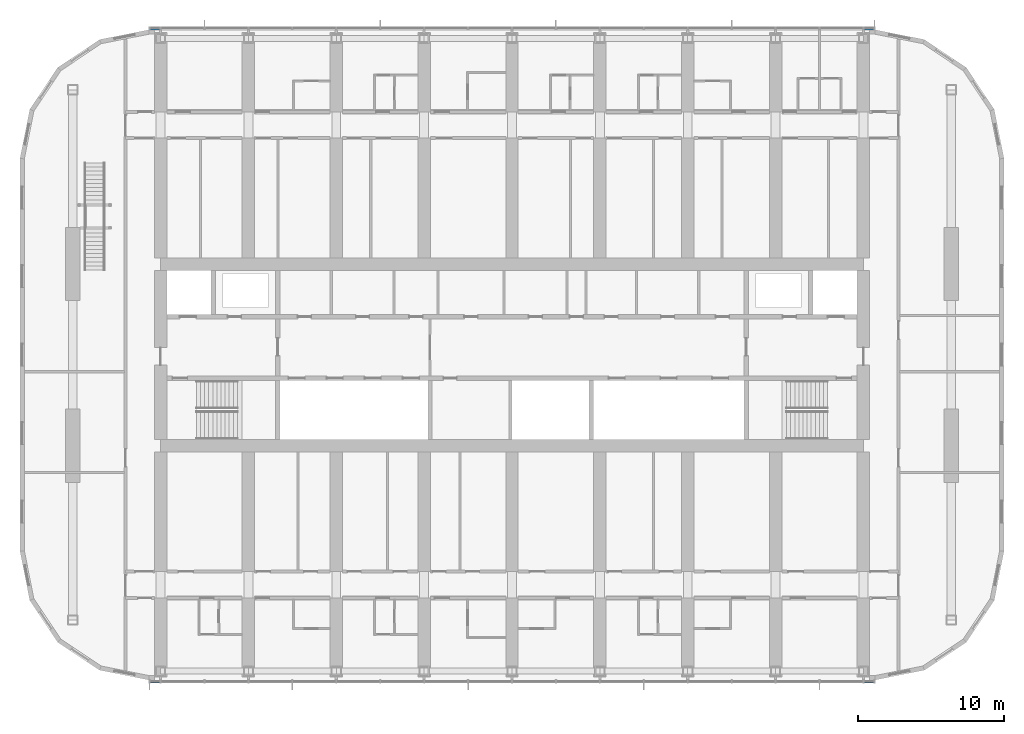
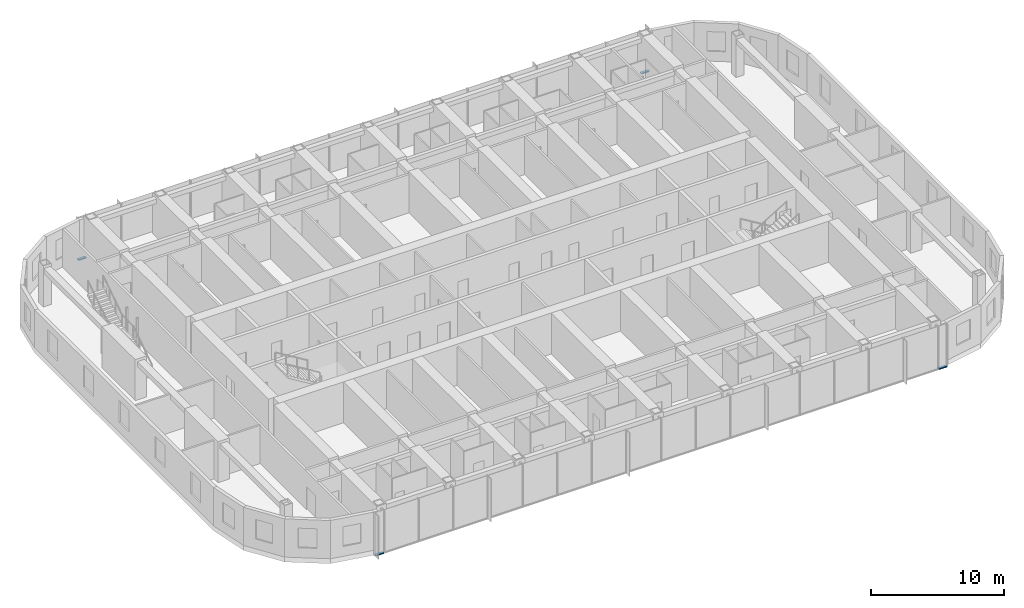
# One storey, part 10 of 29: 4 members, 2 elements without a shape of their own.
"""IFC4 building model written with IfcOpenShell, lengths in metres."""

from ifc_helpers import new_model, si_unit, direction, frame, origin, origin_2d, place, context, subcontext, project, spatial, rectangle, extrude, material, material_profile, profile_set, type_object, element, aggregate, save


model = new_model("IFC4")

# Units and contexts
model_context = context("Model", 3, precision=1e-05, world=origin(), true_north=direction((0.0, 1.0)))
body_context = subcontext(model_context, "Body", "Model", "MODEL_VIEW")
ifc_project = project(units=[si_unit("LENGTHUNIT", "METRE"), si_unit("AREAUNIT", "SQUARE_METRE"), si_unit("VOLUMEUNIT", "CUBIC_METRE"), si_unit("PLANEANGLEUNIT", "RADIAN"), si_unit("MASSUNIT", "GRAM", prefix="KILO")], contexts=[model_context])

# Site, building, storey
site_placement = place(None, origin())
site = spatial("IfcSite", under=ifc_project, at=site_placement, CompositionType="ELEMENT")
building_placement = place(site_placement, origin())
building = spatial("IfcBuilding", under=site, at=building_placement, Name="Orbita Commons", CompositionType="ELEMENT")
storey_placement = place(building_placement, frame((0.0, 0.0, 163.60009765625)))
storey = spatial("IfcBuildingStorey", under=building, at=storey_placement, Name="L40", CompositionType="ELEMENT", Elevation=163.60009765625)

# Curtain wall, members
ifc_material_1 = material(Name="Anodised aluminium frame, pale silver", Category="aluminium")
curtain_wall_type = type_object("IfcCurtainWallType", Name="Unitised curtain wall CW-U, full-height vision", PredefinedType="NOTDEFINED", material=ifc_material_1)
curtain_wall_1_placement = place(storey_placement, origin())
curtain_wall_1 = element("IfcCurtainWall", 1, at=curtain_wall_1_placement, inside=storey, type_object=curtain_wall_type, Name="Curtain wall south L40", PredefinedType="NOTDEFINED")
ifc_material_2 = material(Name="Anodised aluminium, pale silver", Category="aluminium")
ifc_material_profile = material_profile(ifc_material_2, rectangle(XDim=0.219970703125, YDim=0.10009765625, at=origin_2d()), Name="AL 220x100")
ifc_profile_set = profile_set([ifc_material_profile], Name="Anodised aluminium, pale silver")
member_type = type_object("IfcMemberType", Name="Curtain wall stack transom 220x100", PredefinedType="USERDEFINED", material=ifc_profile_set)
member_1_placement = place(storey_placement, frame((17.280029296875, 9.68994140625, -0.400146484375), z_axis=(1.0, 0.0, 0.0), x_axis=(0.0, 1.0, 0.0)))
member_1 = element("IfcMember", 2, at=member_1_placement, type_object=member_type, Name="Transom 1.1 CW-L40-S", ObjectType="TRANSOM", PredefinedType="USERDEFINED", context=body_context, shape_type="SweptSolid", body=[
    extrude(rectangle(XDim=0.219970703125, YDim=0.10009765625, at=origin_2d()), origin(), (0.0, 0.0, 1.0), 0.679931640625),
])
member_2_placement = place(storey_placement, frame((66.0400390625, 9.68994140625, -0.400146484375), z_axis=(1.0, 0.0, 0.0), x_axis=(0.0, 1.0, 0.0)))
member_2 = element("IfcMember", 3, at=member_2_placement, type_object=member_type, Name="Transom 18.1 CW-L40-S", ObjectType="TRANSOM", PredefinedType="USERDEFINED", context=body_context, shape_type="SweptSolid", body=[
    extrude(rectangle(XDim=0.219970703125, YDim=0.10009765625, at=origin_2d()), origin(), (0.0, 0.0, 1.0), 0.679931640625),
])
aggregate(curtain_wall_1, [member_1, member_2])

curtain_wall_2_placement = place(storey_placement, origin())
curtain_wall_2 = element("IfcCurtainWall", 4, at=curtain_wall_2_placement, inside=storey, type_object=curtain_wall_type, Name="Curtain wall north L40", PredefinedType="NOTDEFINED")
member_3_placement = place(storey_placement, frame((66.719970703125, 54.31005859375, -0.400146484375), z_axis=(-1.0, 0.0, 0.0), x_axis=(0.0, -1.0, 0.0)))
member_3 = element("IfcMember", 5, at=member_3_placement, type_object=member_type, Name="Transom 1.1 CW-L40-N", ObjectType="TRANSOM", PredefinedType="USERDEFINED", context=body_context, shape_type="SweptSolid", body=[
    extrude(rectangle(XDim=0.219970703125, YDim=0.10009765625, at=origin_2d()), origin(), (0.0, 0.0, 1.0), 0.679931640625),
])
member_4_placement = place(storey_placement, frame((17.9599609375, 54.31005859375, -0.400146484375), z_axis=(-1.0, 0.0, 0.0), x_axis=(0.0, -1.0, 0.0)))
member_4 = element("IfcMember", 6, at=member_4_placement, type_object=member_type, Name="Transom 18.1 CW-L40-N", ObjectType="TRANSOM", PredefinedType="USERDEFINED", context=body_context, shape_type="SweptSolid", body=[
    extrude(rectangle(XDim=0.219970703125, YDim=0.10009765625, at=origin_2d()), origin(), (0.0, 0.0, 1.0), 0.679931640625),
])
aggregate(curtain_wall_2, [member_3, member_4])

save(model, "model.ifc")
